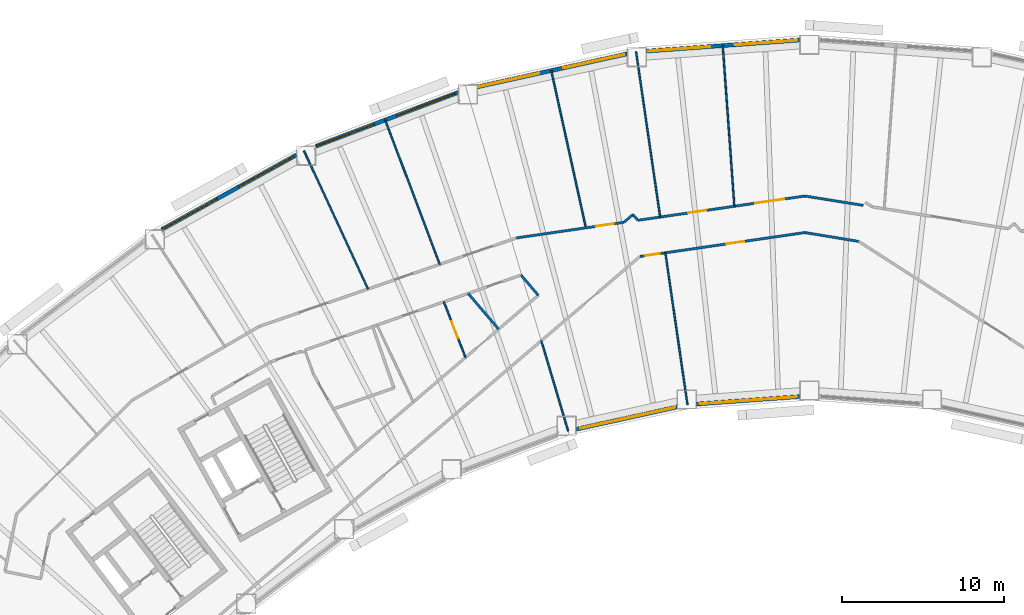
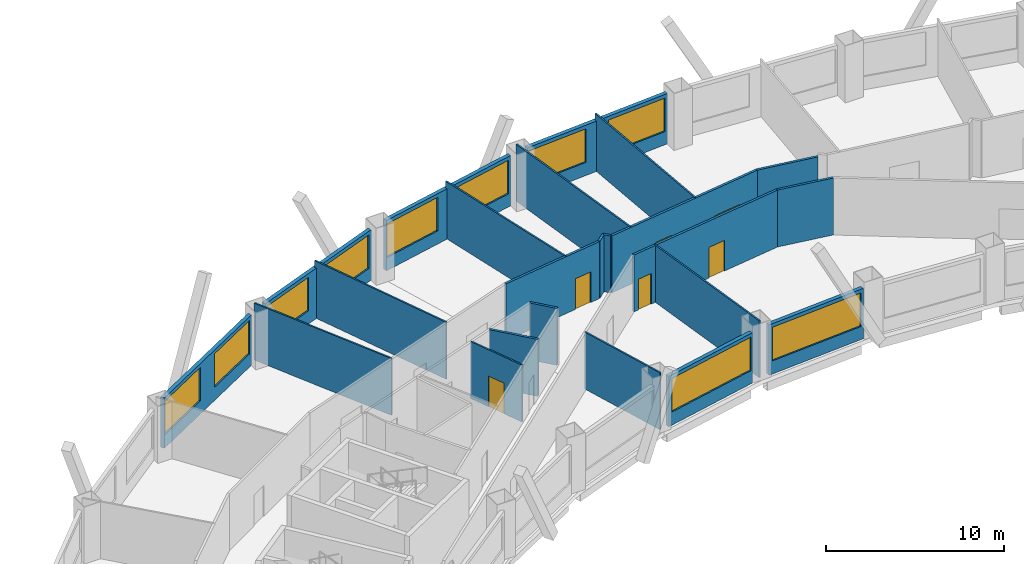
# One storey, part 5 of 12: 23 walls, 10 windows, 6 doors, 16 openings.
"""IFC4 building model written with IfcOpenShell, lengths in metres."""

from ifc_helpers import new_model, si_unit, direction, frame, frame_2d, origin, place, context, subcontext, project, spatial, rectangle, extrude, material, layer, layer_set, type_object, element, fill, save


model = new_model("IFC4")

# Units and contexts
model_context = context("Model", 3, precision=1e-05, world=origin(), true_north=direction((0.0, 1.0)))
body_context = subcontext(model_context, "Body", "Model", "MODEL_VIEW")
ifc_project = project(units=[si_unit("LENGTHUNIT", "METRE"), si_unit("AREAUNIT", "SQUARE_METRE"), si_unit("VOLUMEUNIT", "CUBIC_METRE"), si_unit("PLANEANGLEUNIT", "RADIAN"), si_unit("MASSUNIT", "GRAM", prefix="KILO")], contexts=[model_context])

# Site, building, storey
site_placement = place(None, origin())
site = spatial("IfcSite", under=ifc_project, at=site_placement, CompositionType="ELEMENT")
building_placement = place(site_placement, origin())
building = spatial("IfcBuilding", under=site, at=building_placement, Name="Tuul Gate Civic Tower", CompositionType="ELEMENT")
storey_placement = place(building_placement, frame((0.0, 0.0, 82.199951171875)))
storey = spatial("IfcBuildingStorey", under=building, at=storey_placement, Name="Level 18", CompositionType="ELEMENT", Elevation=82.199951171875)

# Wall
ifc_material_1 = material(Name="Gypsum board partition")
ifc_layer_1 = layer(ifc_material_1, 0.14990234375)
ifc_layer_set_1 = layer_set([ifc_layer_1], Name="Gypsum board partition")
wall_type_1 = type_object("IfcWallType", Name="Corridor wall P150", PredefinedType="PARTITIONING", material=ifc_layer_set_1)
wall_1_placement = place(storey_placement, frame((4.52978515625, 9.362060546875, 0.0), z_axis=(0.0, 0.0, 1.0), x_axis=(0.987352818749, -0.158538359108, 0.0)))
element("IfcWall", 1, at=wall_1_placement, inside=storey, type_object=wall_type_1, Name="p015", PredefinedType="PARTITIONING", context=body_context, shape_type="SweptSolid", body=[
    extrude(rectangle(XDim=3.649658203125, YDim=0.14990234375, at=frame_2d((1.82470703125, 0.0))), origin(), (0.0, 0.0, 1.0), 3.900146484375),
])

# Wall, opening, door
wall_2_placement = place(storey_placement, frame((-13.267333984375, 6.775634765625, 0.0), z_axis=(0.0, 0.0, 1.0), x_axis=(0.989601938801, 0.143833246233, 0.0)))
wall_2 = element("IfcWall", 2, at=wall_2_placement, inside=storey, type_object=wall_type_1, Name="p026", PredefinedType="PARTITIONING", context=body_context, shape_type="SweptSolid", body=[
    extrude(rectangle(XDim=6.687744140625, YDim=0.14990234375, at=frame_2d((3.34375, 0.0))), origin(), (0.0, 0.0, 1.0), 3.900146484375),
])
opening_1_placement = place(wall_2_placement, frame((4.95703125, 0.0, 0.0)))
opening_1 = element("IfcOpeningElement", 3, at=opening_1_placement, cuts=wall_2, Name="Opening E-D09", PredefinedType="OPENING", context=body_context, shape_type="SweptSolid", body=[
    extrude(rectangle(XDim=1.10009765625, YDim=2.10009765625, at=frame_2d((0.550048828125, 1.050048828125))), frame((0.0, 0.0849609375, 0.0), z_axis=(0.0, -1.0, 0.0), x_axis=(1.0, 0.0, 0.0)), (0.0, 0.0, 1.0), 0.169921875),
])
ifc_material_2 = material(Name="Timber door leaf", Category="wood")
door_type_1 = type_object("IfcDoorType", Name="Door D11", OperationType="NOTDEFINED", PredefinedType="DOOR", material=ifc_material_2)
door_1_placement = place(opening_1_placement, origin())
door_1 = element("IfcDoor", 4, at=door_1_placement, inside=storey, type_object=door_type_1, Name="Door E-D09", OperationType="SINGLE_SWING_LEFT", OverallHeight=2.10009765625, OverallWidth=1.10009765625, PredefinedType="DOOR", context=body_context, shape_type="SweptSolid", body=[
    extrude(rectangle(XDim=1.10009765625, YDim=2.10009765625, at=frame_2d((0.550048828125, 1.050048828125))), frame((0.0, 0.02490234375, 0.0), z_axis=(0.0, -1.0, 0.0), x_axis=(1.0, 0.0, 0.0)), (0.0, 0.0, 1.0), 0.050048828125),
])
fill(opening_1, door_1)

# Wall, openings, doors
wall_3_placement = place(storey_placement, frame((-5.7685546875, 7.865478515625, 0.0), z_axis=(0.0, 0.0, 1.0), x_axis=(0.98960308203, 0.143825380361, 0.0)))
wall_3 = element("IfcWall", 5, at=wall_3_placement, inside=storey, type_object=wall_type_1, Name="p027", PredefinedType="PARTITIONING", context=body_context, shape_type="SweptSolid", body=[
    extrude(rectangle(XDim=10.405517578125, YDim=0.14990234375, at=frame_2d((5.20263671875, 0.0))), origin(), (0.0, 0.0, 1.0), 3.900146484375),
])
opening_2_placement = place(wall_3_placement, frame((7.307373046875, 0.0, 0.0)))
opening_2 = element("IfcOpeningElement", 6, at=opening_2_placement, cuts=wall_3, Name="Opening E-D07", PredefinedType="OPENING", context=body_context, shape_type="SweptSolid", body=[
    extrude(rectangle(XDim=1.800048828125, YDim=2.10009765625, at=frame_2d((0.89990234375, 1.050048828125))), frame((0.0, 0.0849609375, 0.0), z_axis=(0.0, -1.0, 0.0), x_axis=(1.0, 0.0, 0.0)), (0.0, 0.0, 1.0), 0.169921875),
])
opening_3_placement = place(wall_3_placement, frame((3.144287109375, 0.0, 0.0)))
opening_3 = element("IfcOpeningElement", 7, at=opening_3_placement, cuts=wall_3, Name="Opening E-D08", PredefinedType="OPENING", context=body_context, shape_type="SweptSolid", body=[
    extrude(rectangle(XDim=1.10009765625, YDim=2.10009765625, at=frame_2d((0.550048828125, 1.050048828125))), frame((0.0, 0.0849609375, 0.0), z_axis=(0.0, -1.0, 0.0), x_axis=(1.0, 0.0, 0.0)), (0.0, 0.0, 1.0), 0.169921875),
])
door_2_placement = place(opening_3_placement, origin())
door_2 = element("IfcDoor", 8, at=door_2_placement, inside=storey, type_object=door_type_1, Name="Door E-D08", OperationType="SINGLE_SWING_RIGHT", OverallHeight=2.10009765625, OverallWidth=1.10009765625, PredefinedType="DOOR", context=body_context, shape_type="SweptSolid", body=[
    extrude(rectangle(XDim=1.10009765625, YDim=2.10009765625, at=frame_2d((0.550048828125, 1.050048828125))), frame((0.0, 0.02490234375, 0.0), z_axis=(0.0, -1.0, 0.0), x_axis=(1.0, 0.0, 0.0)), (0.0, 0.0, 1.0), 0.050048828125),
])
fill(opening_3, door_2)
ifc_material_3 = material(Name="Timber door leaf, double", Category="wood")
door_type_2 = type_object("IfcDoorType", Name="Door D18", OperationType="DOUBLE_DOOR_SINGLE_SWING", PredefinedType="DOOR", material=ifc_material_3)
door_3_placement = place(opening_2_placement, origin())
door_3 = element("IfcDoor", 9, at=door_3_placement, inside=storey, type_object=door_type_2, Name="Door E-D07", OperationType="DOUBLE_DOOR_SINGLE_SWING", OverallHeight=2.10009765625, OverallWidth=1.800048828125, PredefinedType="DOOR", context=body_context, shape_type="SweptSolid", body=[
    extrude(rectangle(XDim=1.800048828125, YDim=2.10009765625, at=frame_2d((0.89990234375, 1.050048828125))), frame((0.0, 0.02490234375, 0.0), z_axis=(0.0, -1.0, 0.0), x_axis=(1.0, 0.0, 0.0)), (0.0, 0.0, 1.0), 0.050048828125),
])
fill(opening_2, door_3)

# Walls
wall_4_placement = place(storey_placement, frame((-6.081298828125, 8.217529296875, 0.0), z_axis=(0.0, 0.0, 1.0), x_axis=(0.649239612562, -0.760583937169, 0.0)))
element("IfcWall", 10, at=wall_4_placement, inside=storey, type_object=wall_type_1, Name="p031", PredefinedType="PARTITIONING", context=body_context, shape_type="SweptSolid", body=[
    extrude(rectangle(XDim=0.453857421875, YDim=0.14990234375, at=frame_2d((0.22705078125, 0.0))), origin(), (0.0, 0.0, 1.0), 3.900146484375),
])
wall_5_placement = place(storey_placement, frame((-6.63916015625, 7.741943359375, 0.0), z_axis=(0.0, 0.0, 1.0), x_axis=(0.760712969529, 0.64908842078, 0.0)))
element("IfcWall", 11, at=wall_5_placement, inside=storey, type_object=wall_type_1, Name="p033", PredefinedType="PARTITIONING", context=body_context, shape_type="SweptSolid", body=[
    extrude(rectangle(XDim=0.732666015625, YDim=0.14990234375, at=frame_2d((0.3662109375, 0.0))), origin(), (0.0, 0.0, 1.0), 3.900146484375),
])

# Wall, openings, doors
wall_6_placement = place(storey_placement, frame((-5.643798828125, 5.62939453125, 0.0), z_axis=(0.0, 0.0, 1.0), x_axis=(0.989631274863, 0.143631263354, 0.0)))
wall_6 = element("IfcWall", 12, at=wall_6_placement, inside=storey, type_object=wall_type_1, Name="p047", PredefinedType="PARTITIONING", context=body_context, shape_type="SweptSolid", body=[
    extrude(rectangle(XDim=10.28369140625, YDim=0.14990234375, at=frame_2d((5.141845703125, 0.0))), origin(), (0.0, 0.0, 1.0), 3.900146484375),
])
opening_4_placement = place(wall_6_placement, frame((5.380859375, 0.0, 0.0)))
opening_4 = element("IfcOpeningElement", 13, at=opening_4_placement, cuts=wall_6, Name="Opening E-D29", PredefinedType="OPENING", context=body_context, shape_type="SweptSolid", body=[
    extrude(rectangle(XDim=1.10009765625, YDim=2.10009765625, at=frame_2d((0.550048828125, 1.050048828125))), frame((0.0, 0.0849609375, 0.0), z_axis=(0.0, -1.0, 0.0), x_axis=(1.0, 0.0, 0.0)), (0.0, 0.0, 1.0), 0.169921875),
])
opening_5_placement = place(wall_6_placement, frame((0.339111328125, 0.0, 0.0)))
opening_5 = element("IfcOpeningElement", 14, at=opening_5_placement, cuts=wall_6, Name="Opening E-D30", PredefinedType="OPENING", context=body_context, shape_type="SweptSolid", body=[
    extrude(rectangle(XDim=0.89990234375, YDim=2.10009765625, at=frame_2d((0.449951171875, 1.050048828125))), frame((0.0, 0.0849609375, 0.0), z_axis=(0.0, -1.0, 0.0), x_axis=(1.0, 0.0, 0.0)), (0.0, 0.0, 1.0), 0.169921875),
])
ifc_material_4 = material(Name="Timber door leaf", Category="wood")
door_type_3 = type_object("IfcDoorType", Name="Door D09", OperationType="NOTDEFINED", PredefinedType="DOOR", material=ifc_material_4)
door_4_placement = place(opening_5_placement, frame((0.89990234375, 0.0, 0.0), z_axis=(0.0, 0.0, 1.0), x_axis=(-1.0, 0.0, 0.0)))
door_4 = element("IfcDoor", 15, at=door_4_placement, inside=storey, type_object=door_type_3, Name="Door E-D30", OperationType="SINGLE_SWING_LEFT", OverallHeight=2.10009765625, OverallWidth=0.89990234375, PredefinedType="DOOR", context=body_context, shape_type="SweptSolid", body=[
    extrude(rectangle(XDim=0.89990234375, YDim=2.10009765625, at=frame_2d((0.449951171875, 1.050048828125))), frame((0.0, 0.02490234375, 0.0), z_axis=(0.0, -1.0, 0.0), x_axis=(1.0, 0.0, 0.0)), (0.0, 0.0, 1.0), 0.050048828125),
])
fill(opening_5, door_4)
door_5_placement = place(opening_4_placement, frame((1.10009765625, 0.0, 0.0), z_axis=(0.0, 0.0, 1.0), x_axis=(-1.0, 0.0, 0.0)))
door_5 = element("IfcDoor", 16, at=door_5_placement, inside=storey, type_object=door_type_1, Name="Door E-D29", OperationType="SINGLE_SWING_LEFT", OverallHeight=2.10009765625, OverallWidth=1.10009765625, PredefinedType="DOOR", context=body_context, shape_type="SweptSolid", body=[
    extrude(rectangle(XDim=1.10009765625, YDim=2.10009765625, at=frame_2d((0.550048828125, 1.050048828125))), frame((0.0, 0.02490234375, 0.0), z_axis=(0.0, -1.0, 0.0), x_axis=(1.0, 0.0, 0.0)), (0.0, 0.0, 1.0), 0.050048828125),
])
fill(opening_4, door_5)

# Walls
wall_7_placement = place(storey_placement, frame((4.533203125, 7.1064453125, 0.0), z_axis=(0.0, 0.0, 1.0), x_axis=(0.986730008667, -0.162369609212, 0.0)))
element("IfcWall", 17, at=wall_7_placement, inside=storey, type_object=wall_type_1, Name="p048", PredefinedType="PARTITIONING", context=body_context, shape_type="SweptSolid", body=[
    extrude(rectangle(XDim=3.35595703125, YDim=0.14990234375, at=frame_2d((1.677978515625, 0.0))), origin(), (0.0, 0.0, 1.0), 3.900146484375),
])
wall_8_placement = place(storey_placement, frame((-12.990478515625, 4.480712890625, 0.0), z_axis=(0.0, 0.0, 1.0), x_axis=(0.649161704446, -0.760650433169, 0.0)))
element("IfcWall", 18, at=wall_8_placement, inside=storey, type_object=wall_type_1, Name="p067", PredefinedType="PARTITIONING", context=body_context, shape_type="SweptSolid", body=[
    extrude(rectangle(XDim=1.642333984375, YDim=0.14990234375, at=frame_2d((0.8212890625, 0.0))), origin(), (0.0, 0.0, 1.0), 3.900146484375),
])
wall_9_placement = place(storey_placement, frame((-16.257080078125, 3.34814453125, 0.0), z_axis=(0.0, 0.0, 1.0), x_axis=(0.649161466591, -0.760650636162, 0.0)))
element("IfcWall", 19, at=wall_9_placement, inside=storey, type_object=wall_type_1, Name="p068", PredefinedType="PARTITIONING", context=body_context, shape_type="SweptSolid", body=[
    extrude(rectangle(XDim=2.901611328125, YDim=0.14990234375, at=frame_2d((1.45068359375, 0.0))), origin(), (0.0, 0.0, 1.0), 3.900146484375),
])

# Wall, openings, windows
ifc_material_5 = material(Name="Precast concrete C40/50", Category="concrete")
ifc_layer_2 = layer(ifc_material_5, 0.25)
ifc_layer_set_2 = layer_set([ifc_layer_2], Name="Precast concrete C40/50")
wall_type_2 = type_object("IfcWallType", Name="External wall", PredefinedType="STANDARD", material=ifc_layer_set_2)
wall_10_placement = place(storey_placement, frame((4.2080078125, 18.9892578125, 0.0), z_axis=(0.0, 0.0, 1.0), x_axis=(-0.997387702814, -0.072234135106, 0.0)))
wall_10 = element("IfcWall", 20, at=wall_10_placement, inside=storey, type_object=wall_type_2, Name="External wall", PredefinedType="STANDARD", context=body_context, shape_type="SweptSolid", body=[
    extrude(rectangle(XDim=9.4736328125, YDim=0.25, at=frame_2d((4.73681640625, 0.0))), origin(), (0.0, 0.0, 1.0), 3.449951171875),
])
opening_6_placement = place(wall_10_placement, frame((0.14990234375, 0.0, 0.89990234375)))
opening_6 = element("IfcOpeningElement", 21, at=opening_6_placement, cuts=wall_10, Name="Opening W22", PredefinedType="OPENING", context=body_context, shape_type="SweptSolid", body=[
    extrude(rectangle(XDim=3.85009765625, YDim=2.300048828125, at=frame_2d((1.925048828125, 1.14990234375))), frame((0.0, 0.135009765625, 0.0), z_axis=(0.0, -1.0, 0.0), x_axis=(1.0, 0.0, 0.0)), (0.0, 0.0, 1.0), 0.27001953125),
])
opening_7_placement = place(wall_10_placement, frame((5.52099609375, 0.0, 0.89990234375)))
opening_7 = element("IfcOpeningElement", 22, at=opening_7_placement, cuts=wall_10, Name="Opening W22", PredefinedType="OPENING", context=body_context, shape_type="SweptSolid", body=[
    extrude(rectangle(XDim=3.85009765625, YDim=2.300048828125, at=frame_2d((1.925048828125, 1.14990234375))), frame((0.0, 0.135009765625, 0.0), z_axis=(0.0, -1.0, 0.0), x_axis=(1.0, 0.0, 0.0)), (0.0, 0.0, 1.0), 0.27001953125),
])
ifc_material_6 = material(Name="Glass", Category="glass")
window_type_1 = type_object("IfcWindowType", Name="Window W22 3850 x 2300", PartitioningType="SINGLE_PANEL", PredefinedType="WINDOW", material=ifc_material_6)
window_1_placement = place(opening_6_placement, origin())
window_1 = element("IfcWindow", 23, at=window_1_placement, inside=storey, type_object=window_type_1, Name="Window", OverallHeight=2.300048828125, OverallWidth=3.85009765625, PartitioningType="SINGLE_PANEL", PredefinedType="WINDOW", context=body_context, shape_type="SweptSolid", body=[
    extrude(rectangle(XDim=3.85009765625, YDim=2.300048828125, at=frame_2d((1.925048828125, 1.14990234375))), frame((0.0, 0.030029296875, 0.0), z_axis=(0.0, -1.0, 0.0), x_axis=(1.0, 0.0, 0.0)), (0.0, 0.0, 1.0), 0.06005859375),
])
fill(opening_6, window_1)
window_2_placement = place(opening_7_placement, origin())
window_2 = element("IfcWindow", 24, at=window_2_placement, inside=storey, type_object=window_type_1, Name="Window", OverallHeight=2.300048828125, OverallWidth=3.85009765625, PartitioningType="SINGLE_PANEL", PredefinedType="WINDOW", context=body_context, shape_type="SweptSolid", body=[
    extrude(rectangle(XDim=3.85009765625, YDim=2.300048828125, at=frame_2d((1.925048828125, 1.14990234375))), frame((0.0, 0.030029296875, 0.0), z_axis=(0.0, -1.0, 0.0), x_axis=(1.0, 0.0, 0.0)), (0.0, 0.0, 1.0), 0.06005859375),
])
fill(opening_7, window_2)

wall_11_placement = place(storey_placement, frame((-6.44091796875, 18.135986328125, 0.0), z_axis=(0.0, 0.0, 1.0), x_axis=(-0.976566757171, -0.215214703934, 0.0)))
wall_11 = element("IfcWall", 25, at=wall_11_placement, inside=storey, type_object=wall_type_2, Name="External wall", PredefinedType="STANDARD", context=body_context, shape_type="SweptSolid", body=[
    extrude(rectangle(XDim=9.448486328125, YDim=0.25, at=frame_2d((4.72412109375, 0.0))), origin(), (0.0, 0.0, 1.0), 3.449951171875),
])
opening_8_placement = place(wall_11_placement, frame((0.185302734375, 0.0, 0.89990234375)))
opening_8 = element("IfcOpeningElement", 26, at=opening_8_placement, cuts=wall_11, Name="Opening W22", PredefinedType="OPENING", context=body_context, shape_type="SweptSolid", body=[
    extrude(rectangle(XDim=3.85009765625, YDim=2.300048828125, at=frame_2d((1.925048828125, 1.14990234375))), frame((0.0, 0.135009765625, 0.0), z_axis=(0.0, -1.0, 0.0), x_axis=(1.0, 0.0, 0.0)), (0.0, 0.0, 1.0), 0.27001953125),
])
opening_9_placement = place(wall_11_placement, frame((5.556640625, 0.0, 0.89990234375)))
opening_9 = element("IfcOpeningElement", 27, at=opening_9_placement, cuts=wall_11, Name="Opening W22", PredefinedType="OPENING", context=body_context, shape_type="SweptSolid", body=[
    extrude(rectangle(XDim=3.85009765625, YDim=2.300048828125, at=frame_2d((1.925048828125, 1.14990234375))), frame((0.0, 0.135009765625, 0.0), z_axis=(0.0, -1.0, 0.0), x_axis=(1.0, 0.0, 0.0)), (0.0, 0.0, 1.0), 0.27001953125),
])
window_3_placement = place(opening_8_placement, origin())
window_3 = element("IfcWindow", 28, at=window_3_placement, inside=storey, type_object=window_type_1, Name="Window", OverallHeight=2.300048828125, OverallWidth=3.85009765625, PartitioningType="SINGLE_PANEL", PredefinedType="WINDOW", context=body_context, shape_type="SweptSolid", body=[
    extrude(rectangle(XDim=3.85009765625, YDim=2.300048828125, at=frame_2d((1.925048828125, 1.14990234375))), frame((0.0, 0.030029296875, 0.0), z_axis=(0.0, -1.0, 0.0), x_axis=(1.0, 0.0, 0.0)), (0.0, 0.0, 1.0), 0.06005859375),
])
fill(opening_8, window_3)
window_4_placement = place(opening_9_placement, origin())
window_4 = element("IfcWindow", 29, at=window_4_placement, inside=storey, type_object=window_type_1, Name="Window", OverallHeight=2.300048828125, OverallWidth=3.85009765625, PartitioningType="SINGLE_PANEL", PredefinedType="WINDOW", context=body_context, shape_type="SweptSolid", body=[
    extrude(rectangle(XDim=3.85009765625, YDim=2.300048828125, at=frame_2d((1.925048828125, 1.14990234375))), frame((0.0, 0.030029296875, 0.0), z_axis=(0.0, -1.0, 0.0), x_axis=(1.0, 0.0, 0.0)), (0.0, 0.0, 1.0), 0.06005859375),
])
fill(opening_9, window_4)

wall_12_placement = place(storey_placement, frame((-16.867919921875, 15.75830078125, 0.0), z_axis=(0.0, 0.0, 1.0), x_axis=(-0.935342969648, -0.353742178897, 0.0)))
wall_12 = element("IfcWall", 30, at=wall_12_placement, inside=storey, type_object=wall_type_2, Name="External wall", PredefinedType="STANDARD", context=body_context, shape_type="SweptSolid", body=[
    extrude(rectangle(XDim=9.39453125, YDim=0.25, at=frame_2d((4.697265625, 0.0))), origin(), (0.0, 0.0, 1.0), 3.449951171875),
])
opening_10_placement = place(wall_12_placement, frame((0.209716796875, 0.0, 0.89990234375)))
opening_10 = element("IfcOpeningElement", 31, at=opening_10_placement, cuts=wall_12, Name="Opening W22", PredefinedType="OPENING", context=body_context, shape_type="SweptSolid", body=[
    extrude(rectangle(XDim=3.85009765625, YDim=2.300048828125, at=frame_2d((1.925048828125, 1.14990234375))), frame((0.0, 0.135009765625, 0.0), z_axis=(0.0, -1.0, 0.0), x_axis=(1.0, 0.0, 0.0)), (0.0, 0.0, 1.0), 0.27001953125),
])
opening_11_placement = place(wall_12_placement, frame((5.549072265625, 0.0, 0.89990234375)))
opening_11 = element("IfcOpeningElement", 32, at=opening_11_placement, cuts=wall_12, Name="Opening W100", PredefinedType="OPENING", context=body_context, shape_type="SweptSolid", body=[
    extrude(rectangle(XDim=3.800048828125, YDim=2.300048828125, at=frame_2d((1.89990234375, 1.14990234375))), frame((0.0, 0.135009765625, 0.0), z_axis=(0.0, -1.0, 0.0), x_axis=(1.0, 0.0, 0.0)), (0.0, 0.0, 1.0), 0.27001953125),
])
ifc_material_7 = material(Name="Glass", Category="glass")
window_type_2 = type_object("IfcWindowType", Name="Window W100 3800 x 2300", PartitioningType="SINGLE_PANEL", PredefinedType="WINDOW", material=ifc_material_7)
window_5_placement = place(opening_11_placement, origin())
window_5 = element("IfcWindow", 33, at=window_5_placement, inside=storey, type_object=window_type_2, Name="Window", OverallHeight=2.300048828125, OverallWidth=3.800048828125, PartitioningType="SINGLE_PANEL", PredefinedType="WINDOW", context=body_context, shape_type="SweptSolid", body=[
    extrude(rectangle(XDim=3.800048828125, YDim=2.300048828125, at=frame_2d((1.89990234375, 1.14990234375))), frame((0.0, 0.030029296875, 0.0), z_axis=(0.0, -1.0, 0.0), x_axis=(1.0, 0.0, 0.0)), (0.0, 0.0, 1.0), 0.06005859375),
])
fill(opening_11, window_5)
window_6_placement = place(opening_10_placement, origin())
window_6 = element("IfcWindow", 34, at=window_6_placement, inside=storey, type_object=window_type_1, Name="Window", OverallHeight=2.300048828125, OverallWidth=3.85009765625, PartitioningType="SINGLE_PANEL", PredefinedType="WINDOW", context=body_context, shape_type="SweptSolid", body=[
    extrude(rectangle(XDim=3.85009765625, YDim=2.300048828125, at=frame_2d((1.925048828125, 1.14990234375))), frame((0.0, 0.030029296875, 0.0), z_axis=(0.0, -1.0, 0.0), x_axis=(1.0, 0.0, 0.0)), (0.0, 0.0, 1.0), 0.06005859375),
])
fill(opening_10, window_6)

wall_13_placement = place(storey_placement, frame((-26.85498046875, 11.89990234375, 0.0), z_axis=(0.0, 0.0, 1.0), x_axis=(-0.874624944876, -0.484800170999, 0.0)))
wall_13 = element("IfcWall", 35, at=wall_13_placement, inside=storey, type_object=wall_type_2, Name="External wall", PredefinedType="STANDARD", context=body_context, shape_type="SweptSolid", body=[
    extrude(rectangle(XDim=9.521484375, YDim=0.25, at=frame_2d((4.7607421875, 0.0))), origin(), (0.0, 0.0, 1.0), 3.449951171875),
])
opening_12_placement = place(wall_13_placement, frame((0.22265625, 0.0, 0.89990234375)))
opening_12 = element("IfcOpeningElement", 36, at=opening_12_placement, cuts=wall_13, Name="Opening W22", PredefinedType="OPENING", context=body_context, shape_type="SweptSolid", body=[
    extrude(rectangle(XDim=3.85009765625, YDim=2.300048828125, at=frame_2d((1.925048828125, 1.14990234375))), frame((0.0, 0.135009765625, 0.0), z_axis=(0.0, -1.0, 0.0), x_axis=(1.0, 0.0, 0.0)), (0.0, 0.0, 1.0), 0.27001953125),
])
opening_13_placement = place(wall_13_placement, frame((5.593994140625, 0.0, 0.89990234375)))
opening_13 = element("IfcOpeningElement", 37, at=opening_13_placement, cuts=wall_13, Name="Opening W22", PredefinedType="OPENING", context=body_context, shape_type="SweptSolid", body=[
    extrude(rectangle(XDim=3.85009765625, YDim=2.300048828125, at=frame_2d((1.925048828125, 1.14990234375))), frame((0.0, 0.135009765625, 0.0), z_axis=(0.0, -1.0, 0.0), x_axis=(1.0, 0.0, 0.0)), (0.0, 0.0, 1.0), 0.27001953125),
])
window_7_placement = place(opening_12_placement, origin())
window_7 = element("IfcWindow", 38, at=window_7_placement, inside=storey, type_object=window_type_1, Name="Window", OverallHeight=2.300048828125, OverallWidth=3.85009765625, PartitioningType="SINGLE_PANEL", PredefinedType="WINDOW", context=body_context, shape_type="SweptSolid", body=[
    extrude(rectangle(XDim=3.85009765625, YDim=2.300048828125, at=frame_2d((1.925048828125, 1.14990234375))), frame((0.0, 0.030029296875, 0.0), z_axis=(0.0, -1.0, 0.0), x_axis=(1.0, 0.0, 0.0)), (0.0, 0.0, 1.0), 0.06005859375),
])
fill(opening_12, window_7)
window_8_placement = place(opening_13_placement, origin())
window_8 = element("IfcWindow", 39, at=window_8_placement, inside=storey, type_object=window_type_1, Name="Window", OverallHeight=2.300048828125, OverallWidth=3.85009765625, PartitioningType="SINGLE_PANEL", PredefinedType="WINDOW", context=body_context, shape_type="SweptSolid", body=[
    extrude(rectangle(XDim=3.85009765625, YDim=2.300048828125, at=frame_2d((1.925048828125, 1.14990234375))), frame((0.0, 0.030029296875, 0.0), z_axis=(0.0, -1.0, 0.0), x_axis=(1.0, 0.0, 0.0)), (0.0, 0.0, 1.0), 0.06005859375),
])
fill(opening_13, window_8)

# Wall, opening, window
wall_14_placement = place(storey_placement, frame((-9.576904296875, -5.031982421875, 0.0), z_axis=(0.0, 0.0, 1.0), x_axis=(0.976560321841, 0.215243903065, 0.0)))
wall_14 = element("IfcWall", 40, at=wall_14_placement, inside=storey, type_object=wall_type_2, Name="External wall", PredefinedType="STANDARD", context=body_context, shape_type="SweptSolid", body=[
    extrude(rectangle(XDim=6.362060546875, YDim=0.25, at=frame_2d((3.18115234375, 0.0))), origin(), (0.0, 0.0, 1.0), 3.449951171875),
])
opening_14_placement = place(wall_14_placement, frame((0.25244140625, 0.0, 0.89990234375)))
opening_14 = element("IfcOpeningElement", 41, at=opening_14_placement, cuts=wall_14, Name="Opening W26", PredefinedType="OPENING", context=body_context, shape_type="SweptSolid", body=[
    extrude(rectangle(XDim=6.0, YDim=2.300048828125, at=frame_2d((3.0, 1.14990234375))), frame((0.0, 0.135009765625, 0.0), z_axis=(0.0, -1.0, 0.0), x_axis=(1.0, 0.0, 0.0)), (0.0, 0.0, 1.0), 0.27001953125),
])
ifc_material_8 = material(Name="Glass", Category="glass")
window_type_3 = type_object("IfcWindowType", Name="Window W26 6000 x 2300", PartitioningType="SINGLE_PANEL", PredefinedType="WINDOW", material=ifc_material_8)
window_9_placement = place(opening_14_placement, origin())
window_9 = element("IfcWindow", 42, at=window_9_placement, inside=storey, type_object=window_type_3, Name="Window", OverallHeight=2.300048828125, OverallWidth=6.0, PartitioningType="SINGLE_PANEL", PredefinedType="WINDOW", context=body_context, shape_type="SweptSolid", body=[
    extrude(rectangle(XDim=6.0, YDim=2.300048828125, at=frame_2d((3.0, 1.14990234375))), frame((0.0, 0.030029296875, 0.0), z_axis=(0.0, -1.0, 0.0), x_axis=(1.0, 0.0, 0.0)), (0.0, 0.0, 1.0), 0.06005859375),
])
fill(opening_14, window_9)

wall_15_placement = place(storey_placement, frame((-2.1640625, -3.47998046875, 0.0), z_axis=(0.0, 0.0, 1.0), x_axis=(0.997382879348, 0.072300705277, 0.0)))
wall_15 = element("IfcWall", 43, at=wall_15_placement, inside=storey, type_object=wall_type_2, Name="External wall", PredefinedType="STANDARD", context=body_context, shape_type="SweptSolid", body=[
    extrude(rectangle(XDim=6.388671875, YDim=0.25, at=frame_2d((3.1943359375, 0.0))), origin(), (0.0, 0.0, 1.0), 3.449951171875),
])
opening_15_placement = place(wall_15_placement, frame((0.2177734375, 0.0, 0.89990234375)))
opening_15 = element("IfcOpeningElement", 44, at=opening_15_placement, cuts=wall_15, Name="Opening W26", PredefinedType="OPENING", context=body_context, shape_type="SweptSolid", body=[
    extrude(rectangle(XDim=6.0, YDim=2.300048828125, at=frame_2d((3.0, 1.14990234375))), frame((0.0, 0.135009765625, 0.0), z_axis=(0.0, -1.0, 0.0), x_axis=(1.0, 0.0, 0.0)), (0.0, 0.0, 1.0), 0.27001953125),
])
window_10_placement = place(opening_15_placement, origin())
window_10 = element("IfcWindow", 45, at=window_10_placement, inside=storey, type_object=window_type_3, Name="Window", OverallHeight=2.300048828125, OverallWidth=6.0, PartitioningType="SINGLE_PANEL", PredefinedType="WINDOW", context=body_context, shape_type="SweptSolid", body=[
    extrude(rectangle(XDim=6.0, YDim=2.300048828125, at=frame_2d((3.0, 1.14990234375))), frame((0.0, 0.030029296875, 0.0), z_axis=(0.0, -1.0, 0.0), x_axis=(1.0, 0.0, 0.0)), (0.0, 0.0, 1.0), 0.06005859375),
])
fill(opening_15, window_10)

# Walls
ifc_material_9 = material(Name="Gypsum board partition")
ifc_layer_3 = layer(ifc_material_9, 0.10009765625)
ifc_layer_set_3 = layer_set([ifc_layer_3], Name="Gypsum board partition")
wall_type_3 = type_object("IfcWallType", Name="Partition P100", PredefinedType="PARTITIONING", material=ifc_layer_set_3)
wall_16_placement = place(storey_placement, frame((-0.540283203125, 18.650390625, 0.0), z_axis=(0.0, 0.0, 1.0), x_axis=(0.072236042888, -0.997387564645, 0.0)))
element("IfcWall", 46, at=wall_16_placement, inside=storey, type_object=wall_type_3, Name="p023", PredefinedType="PARTITIONING", context=body_context, shape_type="SweptSolid", body=[
    extrude(rectangle(XDim=9.946533203125, YDim=0.10009765625, at=frame_2d((4.97314453125, 0.0))), origin(), (0.0, 0.0, 1.0), 3.900146484375),
])
wall_17_placement = place(storey_placement, frame((-5.888916015625, 18.262939453125, 0.0), z_axis=(0.0, 0.0, 1.0), x_axis=(0.144116984792, -0.98956065741, 0.0)))
element("IfcWall", 47, at=wall_17_placement, inside=storey, type_object=wall_type_3, Name="p028", PredefinedType="PARTITIONING", context=body_context, shape_type="SweptSolid", body=[
    extrude(rectangle(XDim=10.306640625, YDim=0.10009765625, at=frame_2d((5.1533203125, 0.0))), origin(), (0.0, 0.0, 1.0), 3.900146484375),
])
wall_18_placement = place(storey_placement, frame((-4.08203125, 5.85595703125, 0.0), z_axis=(0.0, 0.0, 1.0), x_axis=(0.14411775992, -0.989560544523, 0.0)))
element("IfcWall", 48, at=wall_18_placement, inside=storey, type_object=wall_type_3, Name="p029", PredefinedType="PARTITIONING", context=body_context, shape_type="SweptSolid", body=[
    extrude(rectangle(XDim=9.479736328125, YDim=0.10009765625, at=frame_2d((4.73974609375, 0.0))), origin(), (0.0, 0.0, 1.0), 3.900146484375),
])
wall_19_placement = place(storey_placement, frame((-11.125732421875, 17.10888671875, 0.0), z_axis=(0.0, 0.0, 1.0), x_axis=(0.215219598207, -0.976565678563, 0.0)))
element("IfcWall", 49, at=wall_19_placement, inside=storey, type_object=wall_type_3, Name="p030", PredefinedType="PARTITIONING", context=body_context, shape_type="SweptSolid", body=[
    extrude(rectangle(XDim=9.94384765625, YDim=0.10009765625, at=frame_2d((4.971923828125, 0.0))), origin(), (0.0, 0.0, 1.0), 3.900146484375),
])
wall_20_placement = place(storey_placement, frame((-21.378662109375, 14.0576171875, 0.0), z_axis=(0.0, 0.0, 1.0), x_axis=(0.353727923549, -0.935348360827, 0.0)))
element("IfcWall", 50, at=wall_20_placement, inside=storey, type_object=wall_type_3, Name="p034", PredefinedType="PARTITIONING", context=body_context, shape_type="SweptSolid", body=[
    extrude(rectangle(XDim=9.528076171875, YDim=0.10009765625, at=frame_2d((4.76416015625, 0.0))), origin(), (0.0, 0.0, 1.0), 3.900146484375),
])
wall_21_placement = place(storey_placement, frame((-26.39453125, 12.160888671875, 0.0), z_axis=(0.0, 0.0, 1.0), x_axis=(0.420345894439, -0.907363945189, 0.0)))
element("IfcWall", 51, at=wall_21_placement, inside=storey, type_object=wall_type_3, Name="p036", PredefinedType="PARTITIONING", context=body_context, shape_type="SweptSolid", body=[
    extrude(rectangle(XDim=9.410888671875, YDim=0.10009765625, at=frame_2d((4.70556640625, 0.0))), origin(), (0.0, 0.0, 1.0), 3.900146484375),
])
wall_22_placement = place(storey_placement, frame((-11.74267578125, 0.4287109375, 0.0), z_axis=(0.0, 0.0, 1.0), x_axis=(0.285210923821, -0.958464777096, 0.0)))
element("IfcWall", 52, at=wall_22_placement, inside=storey, type_object=wall_type_3, Name="p052", PredefinedType="PARTITIONING", context=body_context, shape_type="SweptSolid", body=[
    extrude(rectangle(XDim=5.819091796875, YDim=0.10009765625, at=frame_2d((2.90966796875, 0.0))), origin(), (0.0, 0.0, 1.0), 3.900146484375),
])

# Wall, opening, door
wall_23_placement = place(storey_placement, frame((-17.754638671875, 2.828857421875, 0.0), z_axis=(0.0, 0.0, 1.0), x_axis=(0.36242707317, -0.932012133308, 0.0)))
wall_23 = element("IfcWall", 53, at=wall_23_placement, inside=storey, type_object=wall_type_3, Name="p072", PredefinedType="PARTITIONING", context=body_context, shape_type="SweptSolid", body=[
    extrude(rectangle(XDim=3.68408203125, YDim=0.10009765625, at=frame_2d((1.842041015625, 0.0))), origin(), (0.0, 0.0, 1.0), 3.900146484375),
])
opening_16_placement = place(wall_23_placement, frame((1.2919921875, 0.0, 0.0)))
opening_16 = element("IfcOpeningElement", 54, at=opening_16_placement, cuts=wall_23, Name="Opening E-D33", PredefinedType="OPENING", context=body_context, shape_type="SweptSolid", body=[
    extrude(rectangle(XDim=1.10009765625, YDim=2.10009765625, at=frame_2d((0.550048828125, 1.050048828125))), frame((0.0, 0.06005859375, 0.0), z_axis=(0.0, -1.0, 0.0), x_axis=(1.0, 0.0, 0.0)), (0.0, 0.0, 1.0), 0.1201171875),
])
door_6_placement = place(opening_16_placement, frame((1.10009765625, 0.0, 0.0), z_axis=(0.0, 0.0, 1.0), x_axis=(-1.0, 0.0, 0.0)))
door_6 = element("IfcDoor", 55, at=door_6_placement, inside=storey, type_object=door_type_1, Name="Door E-D33", OperationType="SINGLE_SWING_LEFT", OverallHeight=2.10009765625, OverallWidth=1.10009765625, PredefinedType="DOOR", context=body_context, shape_type="SweptSolid", body=[
    extrude(rectangle(XDim=1.10009765625, YDim=2.10009765625, at=frame_2d((0.550048828125, 1.050048828125))), frame((0.0, 0.02490234375, 0.0), z_axis=(0.0, -1.0, 0.0), x_axis=(1.0, 0.0, 0.0)), (0.0, 0.0, 1.0), 0.050048828125),
])
fill(opening_16, door_6)

save(model, "model.ifc")
